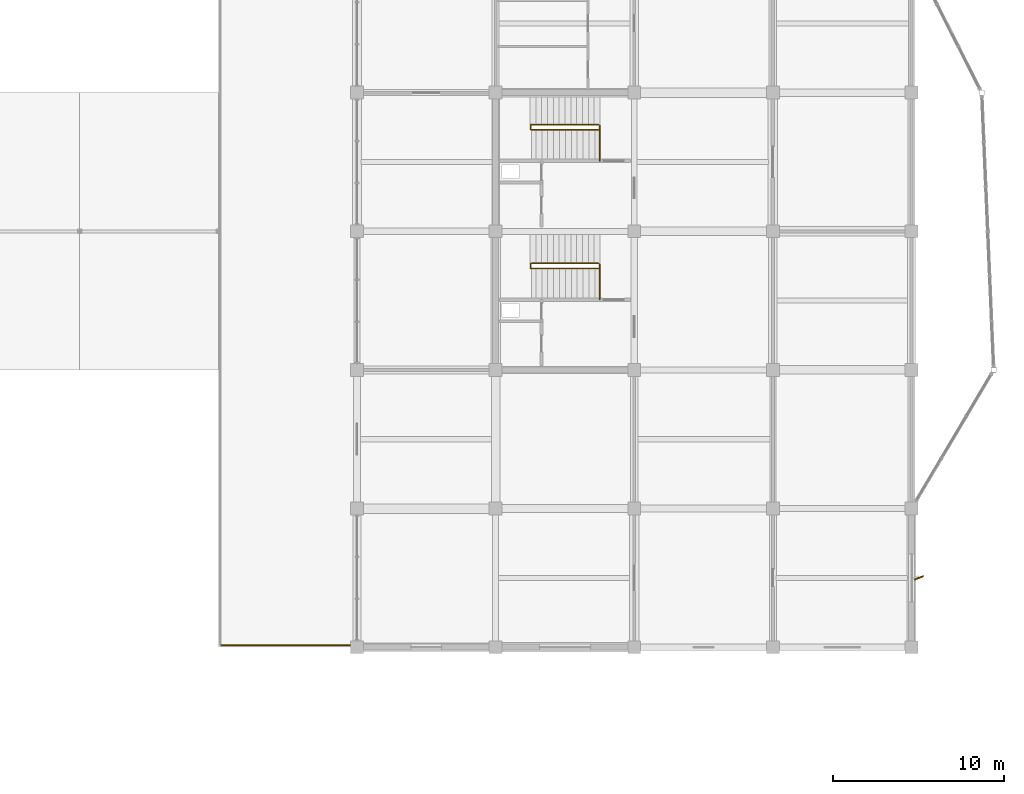
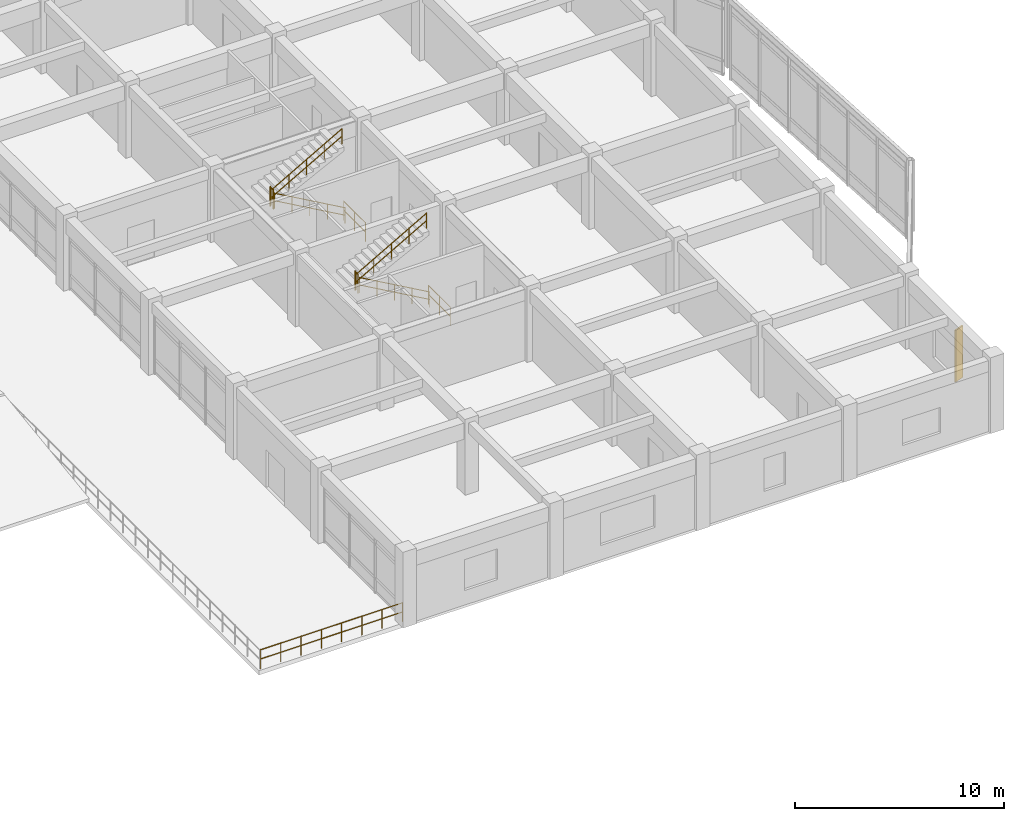
# One storey, part 68 of 70: 9 railings, 1 shading device.
"""IFC4 building model written with IfcOpenShell, lengths in metres."""

from ifc_helpers import new_model, si_unit, direction, frame, origin, origin_2d, place, context, subcontext, project, spatial, rectangle, circle, extrude, material, type_object, element, save


model = new_model("IFC4")

# Units and contexts
model_context = context("Model", 3, precision=1e-05, world=origin(), true_north=direction((0.0, 1.0)))
body_context = subcontext(model_context, "Body", "Model", "MODEL_VIEW")
ifc_project = project(units=[si_unit("LENGTHUNIT", "METRE"), si_unit("AREAUNIT", "SQUARE_METRE"), si_unit("VOLUMEUNIT", "CUBIC_METRE"), si_unit("PLANEANGLEUNIT", "RADIAN"), si_unit("MASSUNIT", "GRAM", prefix="KILO")], contexts=[model_context])

# Site, building, storey
site_placement = place(None, origin())
site = spatial("IfcSite", under=ifc_project, at=site_placement, CompositionType="ELEMENT")
building_placement = place(site_placement, origin())
building = spatial("IfcBuilding", under=site, at=building_placement, Name="Vaudrelin Polytechnic", CompositionType="ELEMENT")
storey_placement = place(building_placement, frame((0.0, 0.0, 14.110107421875)))
storey = spatial("IfcBuildingStorey", under=building, at=storey_placement, Name="L03", CompositionType="ELEMENT", Elevation=14.110107421875)

# Railing
ifc_material_1 = material(Name="Stainless steel AISI 316L", Category="steel")
railing_type_1 = type_object("IfcRailingType", Name="ENV-GR-TER", PredefinedType="GUARDRAIL", material=ifc_material_1)
railing_1_placement = place(storey_placement, frame((129.760009765625, 16.320068359375, 0.0)))
element("IfcRailing", 1, at=railing_1_placement, inside=storey, type_object=railing_type_1, Name="Sculptural terrace guardrail GRD-CT3-S", PredefinedType="GUARDRAIL", context=body_context, shape_type="SweptSolid", body=[
    extrude(circle(Radius=0.02392578125, at=origin_2d()), frame((0.023193359375, 0.0, 1.09619140625), z_axis=(1.0, 0.0, 0.0), x_axis=(0.0, 1.0, 0.0)), (0.0, 0.0, 1.0), 7.77392578125),
    extrude(circle(Radius=0.02392578125, at=origin_2d()), frame((0.023193359375, 0.0, 0.56005859375), z_axis=(1.0, 0.0, 0.0), x_axis=(0.0, 1.0, 0.0)), (0.0, 0.0, 1.0), 7.77392578125),
    extrude(circle(Radius=0.02099609375, at=origin_2d()), origin(), (0.0, 0.0, 1.0), 1.1201171875),
    extrude(circle(Radius=0.02099609375, at=origin_2d()), frame((1.1171875, 0.0, 0.0)), (0.0, 0.0, 1.0), 1.1201171875),
    extrude(circle(Radius=0.02099609375, at=origin_2d()), frame((2.234375, 0.0, 0.0)), (0.0, 0.0, 1.0), 1.1201171875),
    extrude(circle(Radius=0.02099609375, at=origin_2d()), frame((3.3515625, 0.0, 0.0)), (0.0, 0.0, 1.0), 1.1201171875),
    extrude(circle(Radius=0.02099609375, at=origin_2d()), frame((4.468505859375, 0.0, 0.0)), (0.0, 0.0, 1.0), 1.1201171875),
    extrude(circle(Radius=0.02099609375, at=origin_2d()), frame((5.585693359375, 0.0, 0.0)), (0.0, 0.0, 1.0), 1.1201171875),
    extrude(circle(Radius=0.02099609375, at=origin_2d()), frame((6.702880859375, 0.0, 0.0)), (0.0, 0.0, 1.0), 1.1201171875),
    extrude(circle(Radius=0.02099609375, at=origin_2d()), frame((7.820068359375, 0.0, 0.0)), (0.0, 0.0, 1.0), 1.1201171875),
])

# Shading device
ifc_material_2 = material(Name="Anodised perforated aluminium AA 5005", Category="aluminium")
shading_device_type = type_object("IfcShadingDeviceType", Name="ENV-SF-FIN1", PredefinedType="USERDEFINED", material=ifc_material_2)
shading_device_placement = place(storey_placement, frame((170.534912109375, 20.25, 0.19970703125), z_axis=(0.0, 0.0, 1.0), x_axis=(0.927183854567, 0.374606593416, 0.0)))
element("IfcShadingDevice", 2, at=shading_device_placement, inside=storey, type_object=shading_device_type, Name="Perforated solar fin SF-033", ObjectType="SOLAR FIN", PredefinedType="USERDEFINED", context=body_context, shape_type="SweptSolid", body=[
    extrude(rectangle(XDim=0.550048828125, YDim=0.080078125, at=origin_2d()), origin(), (0.0, 0.0, 1.0), 3.011962890625),
])

# Railings
ifc_material_3 = material(Name="Brushed stainless steel AISI 304", Category="steel")
railing_type_2 = type_object("IfcRailingType", Name="RAL-GR-INT", PredefinedType="GUARDRAIL", material=ifc_material_3)
railing_2_placement = place(storey_placement, frame((151.8798828125, 36.510009765625, 0.0)))
element("IfcRailing", 3, at=railing_2_placement, inside=storey, type_object=railing_type_2, Name="ST-08-L02 upper well guardrail", PredefinedType="GUARDRAIL", context=body_context, shape_type="SweptSolid", body=[
    extrude(circle(Radius=0.02392578125, at=origin_2d()), frame((0.0, 0.023193359375, 1.09619140625), z_axis=(0.0, 1.0, 0.0), x_axis=(-1.0, 0.0, 0.0)), (0.0, 0.0, 1.0), 2.02392578125),
    extrude(circle(Radius=0.02392578125, at=origin_2d()), frame((0.0, 0.023193359375, 0.56005859375), z_axis=(0.0, 1.0, 0.0), x_axis=(-1.0, 0.0, 0.0)), (0.0, 0.0, 1.0), 2.02392578125),
    extrude(circle(Radius=0.02099609375, at=origin_2d()), origin(), (0.0, 0.0, 1.0), 1.1201171875),
    extrude(circle(Radius=0.02099609375, at=origin_2d()), frame((0.0, 1.03515625, 0.0)), (0.0, 0.0, 1.0), 1.1201171875),
    extrude(circle(Radius=0.02099609375, at=origin_2d()), frame((0.0, 2.070068359375, 0.0)), (0.0, 0.0, 1.0), 1.1201171875),
])
railing_3_placement = place(storey_placement, frame((147.85009765625, 38.340087890625, 2.2099609375)))
element("IfcRailing", 4, at=railing_3_placement, inside=storey, type_object=railing_type_2, Name="ST-08-L03 landing well guardrail", PredefinedType="GUARDRAIL", context=body_context, shape_type="SweptSolid", body=[
    extrude(circle(Radius=0.02392578125, at=origin_2d()), frame((0.0, 0.023193359375, 1.09619140625), z_axis=(0.0, 1.0, 0.0), x_axis=(-1.0, 0.0, 0.0)), (0.0, 0.0, 1.0), 0.23388671875),
    extrude(circle(Radius=0.02392578125, at=origin_2d()), frame((0.0, 0.023193359375, 0.56005859375), z_axis=(0.0, 1.0, 0.0), x_axis=(-1.0, 0.0, 0.0)), (0.0, 0.0, 1.0), 0.23388671875),
    extrude(circle(Radius=0.02099609375, at=origin_2d()), origin(), (0.0, 0.0, 1.0), 1.1201171875),
    extrude(circle(Radius=0.02099609375, at=origin_2d()), frame((0.0, 0.280029296875, 0.0)), (0.0, 0.0, 1.0), 1.1201171875),
])
railing_4_placement = place(storey_placement, frame((151.8798828125, 44.610107421875, 0.0)))
element("IfcRailing", 5, at=railing_4_placement, inside=storey, type_object=railing_type_2, Name="ST-12-L02 upper well guardrail", PredefinedType="GUARDRAIL", context=body_context, shape_type="SweptSolid", body=[
    extrude(circle(Radius=0.02392578125, at=origin_2d()), frame((0.0, 0.023193359375, 1.09619140625), z_axis=(0.0, 1.0, 0.0), x_axis=(-1.0, 0.0, 0.0)), (0.0, 0.0, 1.0), 2.023681640625),
    extrude(circle(Radius=0.02392578125, at=origin_2d()), frame((0.0, 0.023193359375, 0.56005859375), z_axis=(0.0, 1.0, 0.0), x_axis=(-1.0, 0.0, 0.0)), (0.0, 0.0, 1.0), 2.023681640625),
    extrude(circle(Radius=0.02099609375, at=origin_2d()), origin(), (0.0, 0.0, 1.0), 1.1201171875),
    extrude(circle(Radius=0.02099609375, at=origin_2d()), frame((0.0, 1.034912109375, 0.0)), (0.0, 0.0, 1.0), 1.1201171875),
    extrude(circle(Radius=0.02099609375, at=origin_2d()), frame((0.0, 2.06982421875, 0.0)), (0.0, 0.0, 1.0), 1.1201171875),
])
railing_5_placement = place(storey_placement, frame((147.85009765625, 46.43994140625, 2.2099609375)))
element("IfcRailing", 6, at=railing_5_placement, inside=storey, type_object=railing_type_2, Name="ST-12-L03 landing well guardrail", PredefinedType="GUARDRAIL", context=body_context, shape_type="SweptSolid", body=[
    extrude(circle(Radius=0.02392578125, at=origin_2d()), frame((0.0, 0.023193359375, 1.09619140625), z_axis=(0.0, 1.0, 0.0), x_axis=(-1.0, 0.0, 0.0)), (0.0, 0.0, 1.0), 0.23388671875),
    extrude(circle(Radius=0.02392578125, at=origin_2d()), frame((0.0, 0.023193359375, 0.56005859375), z_axis=(0.0, 1.0, 0.0), x_axis=(-1.0, 0.0, 0.0)), (0.0, 0.0, 1.0), 0.23388671875),
    extrude(circle(Radius=0.02099609375, at=origin_2d()), origin(), (0.0, 0.0, 1.0), 1.1201171875),
    extrude(circle(Radius=0.02099609375, at=origin_2d()), frame((0.0, 0.280029296875, 0.0)), (0.0, 0.0, 1.0), 1.1201171875),
])
railing_type_3 = type_object("IfcRailingType", Name="RAL-HR-STR", PredefinedType="HANDRAIL", material=ifc_material_3)
railing_6_placement = place(storey_placement, frame((151.800048828125, 38.330078125, 0.0)))
element("IfcRailing", 7, at=railing_6_placement, inside=storey, type_object=railing_type_3, Name="ST-08-L03 flight 1 handrail", PredefinedType="HANDRAIL", context=body_context, shape_type="SweptSolid", body=[
    extrude(circle(Radius=0.02392578125, at=origin_2d()), frame((-0.02001953125, 0.0, 0.9072265625), z_axis=(-0.869489581884, 0.0, 0.493951279981), x_axis=(0.0, -1.0, 0.0)), (0.0, 0.0, 1.0), 4.427734375),
    extrude(circle(Radius=0.02392578125, at=origin_2d()), frame((-0.02001953125, 0.0, 0.471435546875), z_axis=(-0.869489581884, 0.0, 0.493951279981), x_axis=(0.0, -1.0, 0.0)), (0.0, 0.0, 1.0), 4.427734375),
    extrude(circle(Radius=0.02099609375, at=origin_2d()), origin(), (0.0, 0.0, 1.0), 0.919921875),
    extrude(circle(Radius=0.02099609375, at=origin_2d()), frame((-0.97265625, 0.0, 0.552490234375)), (0.0, 0.0, 1.0), 0.919921875),
    extrude(circle(Radius=0.02099609375, at=origin_2d()), frame((-1.945068359375, 0.0, 1.10498046875)), (0.0, 0.0, 1.0), 0.919921875),
    extrude(circle(Radius=0.02099609375, at=origin_2d()), frame((-2.91748046875, 0.0, 1.657470703125)), (0.0, 0.0, 1.0), 0.919921875),
    extrude(circle(Radius=0.02099609375, at=origin_2d()), frame((-3.89013671875, 0.0, 2.2099609375)), (0.0, 0.0, 1.0), 0.919921875),
])
railing_7_placement = place(storey_placement, frame((147.909912109375, 38.6298828125, 2.2099609375)))
element("IfcRailing", 8, at=railing_7_placement, inside=storey, type_object=railing_type_3, Name="ST-08-L03 flight 2 handrail", PredefinedType="HANDRAIL", context=body_context, shape_type="SweptSolid", body=[
    extrude(circle(Radius=0.02392578125, at=origin_2d()), frame((0.02001953125, 0.0, 0.9072265625), z_axis=(0.869489581884, 0.0, 0.493951279981), x_axis=(0.0, 1.0, 0.0)), (0.0, 0.0, 1.0), 4.427734375),
    extrude(circle(Radius=0.02392578125, at=origin_2d()), frame((0.02001953125, 0.0, 0.471435546875), z_axis=(0.869489581884, 0.0, 0.493951279981), x_axis=(0.0, 1.0, 0.0)), (0.0, 0.0, 1.0), 4.427734375),
    extrude(circle(Radius=0.02099609375, at=origin_2d()), origin(), (0.0, 0.0, 1.0), 0.919921875),
    extrude(circle(Radius=0.02099609375, at=origin_2d()), frame((0.97265625, 0.0, 0.552490234375)), (0.0, 0.0, 1.0), 0.919921875),
    extrude(circle(Radius=0.02099609375, at=origin_2d()), frame((1.945068359375, 0.0, 1.10498046875)), (0.0, 0.0, 1.0), 0.919921875),
    extrude(circle(Radius=0.02099609375, at=origin_2d()), frame((2.91748046875, 0.0, 1.657470703125)), (0.0, 0.0, 1.0), 0.919921875),
    extrude(circle(Radius=0.02099609375, at=origin_2d()), frame((3.89013671875, 0.0, 2.2099609375)), (0.0, 0.0, 1.0), 0.919921875),
])
railing_8_placement = place(storey_placement, frame((151.800048828125, 46.429931640625, 0.0)))
element("IfcRailing", 9, at=railing_8_placement, inside=storey, type_object=railing_type_3, Name="ST-12-L03 flight 1 handrail", PredefinedType="HANDRAIL", context=body_context, shape_type="SweptSolid", body=[
    extrude(circle(Radius=0.02392578125, at=origin_2d()), frame((-0.02001953125, 0.0, 0.9072265625), z_axis=(-0.869489581884, 0.0, 0.493951279981), x_axis=(0.0, -1.0, 0.0)), (0.0, 0.0, 1.0), 4.427734375),
    extrude(circle(Radius=0.02392578125, at=origin_2d()), frame((-0.02001953125, 0.0, 0.471435546875), z_axis=(-0.869489581884, 0.0, 0.493951279981), x_axis=(0.0, -1.0, 0.0)), (0.0, 0.0, 1.0), 4.427734375),
    extrude(circle(Radius=0.02099609375, at=origin_2d()), origin(), (0.0, 0.0, 1.0), 0.919921875),
    extrude(circle(Radius=0.02099609375, at=origin_2d()), frame((-0.97265625, 0.0, 0.552490234375)), (0.0, 0.0, 1.0), 0.919921875),
    extrude(circle(Radius=0.02099609375, at=origin_2d()), frame((-1.945068359375, 0.0, 1.10498046875)), (0.0, 0.0, 1.0), 0.919921875),
    extrude(circle(Radius=0.02099609375, at=origin_2d()), frame((-2.91748046875, 0.0, 1.657470703125)), (0.0, 0.0, 1.0), 0.919921875),
    extrude(circle(Radius=0.02099609375, at=origin_2d()), frame((-3.89013671875, 0.0, 2.2099609375)), (0.0, 0.0, 1.0), 0.919921875),
])
railing_9_placement = place(storey_placement, frame((147.909912109375, 46.72998046875, 2.2099609375)))
element("IfcRailing", 10, at=railing_9_placement, inside=storey, type_object=railing_type_3, Name="ST-12-L03 flight 2 handrail", PredefinedType="HANDRAIL", context=body_context, shape_type="SweptSolid", body=[
    extrude(circle(Radius=0.02392578125, at=origin_2d()), frame((0.02001953125, 0.0, 0.9072265625), z_axis=(0.869489581884, 0.0, 0.493951279981), x_axis=(0.0, 1.0, 0.0)), (0.0, 0.0, 1.0), 4.427734375),
    extrude(circle(Radius=0.02392578125, at=origin_2d()), frame((0.02001953125, 0.0, 0.471435546875), z_axis=(0.869489581884, 0.0, 0.493951279981), x_axis=(0.0, 1.0, 0.0)), (0.0, 0.0, 1.0), 4.427734375),
    extrude(circle(Radius=0.02099609375, at=origin_2d()), origin(), (0.0, 0.0, 1.0), 0.919921875),
    extrude(circle(Radius=0.02099609375, at=origin_2d()), frame((0.97265625, 0.0, 0.552490234375)), (0.0, 0.0, 1.0), 0.919921875),
    extrude(circle(Radius=0.02099609375, at=origin_2d()), frame((1.945068359375, 0.0, 1.10498046875)), (0.0, 0.0, 1.0), 0.919921875),
    extrude(circle(Radius=0.02099609375, at=origin_2d()), frame((2.91748046875, 0.0, 1.657470703125)), (0.0, 0.0, 1.0), 0.919921875),
    extrude(circle(Radius=0.02099609375, at=origin_2d()), frame((3.89013671875, 0.0, 2.2099609375)), (0.0, 0.0, 1.0), 0.919921875),
])

save(model, "model.ifc")
